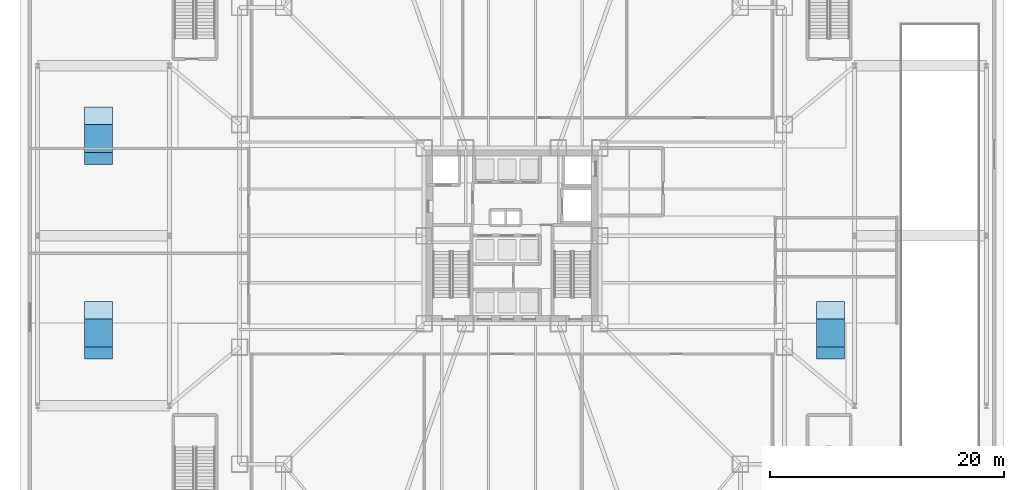
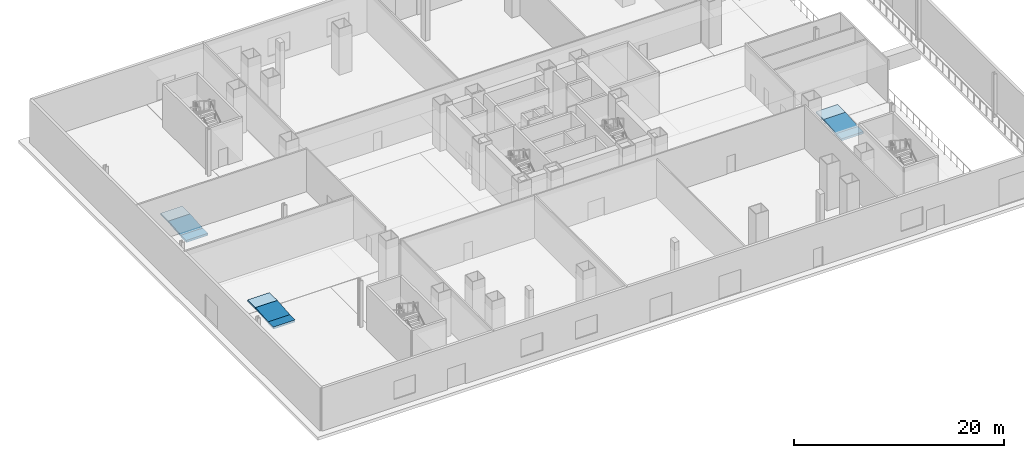
# One storey, part 12 of 24: 3 ramps, 3 ramp flights, 3 slabs.
"""IFC4 building model written with IfcOpenShell, lengths in metres."""

import ifcopenshell
import ifcopenshell.guid

model = None  # the IFC model being written
_history = None  # IfcOwnerHistory: only IFC2X3 demands one
_inside = {}  # id of a spatial element -> (the spatial element, [elements in it])
_under = {}  # id of a project, library or spatial element -> (it, [spatial elements below it])
_declared = {}  # id of a project -> (the project, [libraries it declares])
_typed = {}  # id of a type object -> (the type object, [elements of that type])
_made_of = {}  # id of a material, layer set ... -> (it, [elements and type objects made of it])


def new_model(schema):
    """Start an empty IFC model of exactly this schema.

    Asked for "IFC4X3", IfcOpenShell would pick the latest addendum, in which some entities
    have other attributes; the version numbers below select the first issue.
    IFC2X3 requires an IfcOwnerHistory on every rooted entity: one is made here for all.
    """
    global model, _history
    if schema == "IFC4X3":
        model = ifcopenshell.file(schema_version=(4, 3, 0, 0))
    else:
        model = ifcopenshell.file(schema=schema)
    _inside.clear()
    _under.clear()
    _declared.clear()
    _typed.clear()
    _made_of.clear()
    _history = None
    if model.schema == "IFC2X3":
        org = make("IfcOrganization", Name="unknown")
        user = make(
            "IfcPersonAndOrganization",
            ThePerson=make("IfcPerson", FamilyName="unknown"),
            TheOrganization=org,
        )
        app = make(
            "IfcApplication",
            ApplicationDeveloper=org,
            Version="unknown",
            ApplicationFullName="unknown",
            ApplicationIdentifier="unknown",
        )
        _history = make(
            "IfcOwnerHistory",
            OwningUser=user,
            OwningApplication=app,
            ChangeAction="ADDED",
            CreationDate=0,
        )
    return model


def make(cls, **values):
    """One entity of the class cls with the attributes given. An attribute that is None is left unset."""
    return model.create_entity(
        cls, **{name: value for name, value in values.items() if value is not None}
    )


def rooted(cls, **values):
    """An entity with a GlobalId (a new one), such as an element, a storey or a relation."""
    return make(cls, GlobalId=ifcopenshell.guid.new(), OwnerHistory=_history, **values)


def si_unit(unit_type, name, prefix=None):
    """IfcSIUnit, for example si_unit("LENGTHUNIT", "METRE", prefix="MILLI")."""
    return make("IfcSIUnit", UnitType=unit_type, Prefix=prefix, Name=name)


def assignment(units):
    """IfcUnitAssignment: the units of a project."""
    return None if units is None else make("IfcUnitAssignment", Units=units)


def point(xyz):
    """IfcCartesianPoint."""
    return None if xyz is None else make("IfcCartesianPoint", Coordinates=xyz)


def direction(xyz):
    """IfcDirection."""
    return None if xyz is None else make("IfcDirection", DirectionRatios=xyz)


def frame(location, z_axis=None, x_axis=None):
    """IfcAxis2Placement3D, a coordinate frame: its origin and axes. An axis left out is left unset."""
    return make(
        "IfcAxis2Placement3D",
        Location=point(location),
        Axis=direction(z_axis),
        RefDirection=direction(x_axis),
    )


def frame_2d(location, x_axis=None):
    """IfcAxis2Placement2D, a coordinate frame in the plane: its origin and x axis."""
    return make(
        "IfcAxis2Placement2D", Location=point(location), RefDirection=direction(x_axis)
    )


def origin():
    """The frame at (0, 0, 0) with its axes left unset."""
    return frame((0.0, 0.0, 0.0))


def origin_2d():
    """The frame at (0, 0) in the plane with its x axis left unset."""
    return frame_2d((0.0, 0.0))


def place(relative_to, where):
    """IfcLocalPlacement: puts the frame where relative to a parent placement (None: the world)."""
    return make(
        "IfcLocalPlacement", PlacementRelTo=relative_to, RelativePlacement=where
    )


def context(
    kind, dimensions, precision=None, world=None, true_north=None, identifier=None
):
    """IfcGeometricRepresentationContext, for example the 3D "Model" context."""
    return make(
        "IfcGeometricRepresentationContext",
        ContextIdentifier=identifier,
        ContextType=kind,
        CoordinateSpaceDimension=dimensions,
        Precision=precision,
        WorldCoordinateSystem=world,
        TrueNorth=true_north,
    )


def subcontext(parent, identifier, kind, view, scale=None):
    """IfcGeometricRepresentationSubContext, for example "Body" below "Model"."""
    return make(
        "IfcGeometricRepresentationSubContext",
        ContextIdentifier=identifier,
        ContextType=kind,
        ParentContext=parent,
        TargetScale=scale,
        TargetView=view,
    )


def project(units=None, contexts=None):
    """IfcProject with its units and contexts."""
    return rooted(
        "IfcProject",
        Name="project",
        RepresentationContexts=contexts,
        UnitsInContext=assignment(units),
    )


def spatial(cls, under=None, at=None, **own):
    """A site, building, storey or space (cls), placed at a placement, below another one or the project."""
    s = rooted(cls, ObjectPlacement=at, **own)
    if under is not None:
        _under.setdefault(under.id(), (under, []))[1].append(s)
    return s


def polyline(points):
    """IfcPolyline through the points."""
    return make("IfcPolyline", Points=[point(p) for p in points])


def profile(cls, at=None, kind="AREA", **sizes):
    """A parametric profile (cls). Its sizes go by their IFC names, for example OverallWidth=200.0."""
    return make(cls, ProfileType=kind, Position=at, **sizes)


def rectangle(**sizes):
    """IfcRectangleProfileDef."""
    return profile("IfcRectangleProfileDef", **sizes)


def outline(outer, holes=None, kind="AREA"):
    """IfcArbitraryClosedProfileDef: a profile drawn as a closed curve; with holes, ...WithVoids."""
    if holes is None:
        return make("IfcArbitraryClosedProfileDef", ProfileType=kind, OuterCurve=outer)
    return make(
        "IfcArbitraryProfileDefWithVoids",
        ProfileType=kind,
        OuterCurve=outer,
        InnerCurves=holes,
    )


def extrude(swept, where, along, depth):
    """IfcExtrudedAreaSolid: the profile swept, set in the frame where, extruded along a direction by depth."""
    return make(
        "IfcExtrudedAreaSolid",
        SweptArea=swept,
        Position=where,
        ExtrudedDirection=direction(along),
        Depth=depth,
    )


def shape(context_of_items, identifier, shape_type, items):
    """IfcShapeRepresentation: the items that make up one representation, for example the "Body"."""
    return make(
        "IfcShapeRepresentation",
        ContextOfItems=context_of_items,
        RepresentationIdentifier=identifier,
        RepresentationType=shape_type,
        Items=items,
    )


def material(Name=None, Category=None):
    """IfcMaterial."""
    return make("IfcMaterial", Name=Name, Category=Category)


def layer(
    of_material, thickness, ventilated=None, Name=None, Category=None, Priority=None
):
    """IfcMaterialLayer: one layer of a wall or slab, of a material (None: an air gap)."""
    return make(
        "IfcMaterialLayer",
        Material=of_material,
        LayerThickness=thickness,
        IsVentilated=ventilated,
        Name=Name,
        Category=Category,
        Priority=Priority,
    )


def layer_set(layers, Name=None):
    """IfcMaterialLayerSet."""
    return make("IfcMaterialLayerSet", MaterialLayers=layers, LayerSetName=Name)


def made_of(thing, what):
    """Note that an element or type object is made of a material, layer set ...; save() writes the relation."""
    if what is not None:
        _made_of.setdefault(what.id(), (what, []))[1].append(thing)
    return thing


def type_object(cls, material=None, **own):
    """A type object (cls), such as IfcWallType, which elements share."""
    return made_of(rooted(cls, **own), material)


def element(
    cls,
    number,
    at=None,
    inside=None,
    cuts=None,
    type_object=None,
    material=None,
    context=None,
    identifier="Body",
    shape_type=None,
    held_by="IfcProductDefinitionShape",
    body=None,
    shapes=None,
    **own,
):
    """One element of the class cls, such as IfcWall. Its Tag is "e" and its number.

    at: its placement. inside: the storey or other place that contains it. cuts: it is an
    opening in that element (IfcRelVoidsElement). A single representation is given by context,
    identifier, shape_type and body (its items); several are given by shapes. held_by: the class
    of the entity that holds the representations. save() writes the other relations.
    """
    e = rooted(cls, Tag="e%d" % number, ObjectPlacement=at, **own)
    if body is not None:
        shapes = [shape(context, identifier, shape_type, body)]
    if shapes is not None:
        e.Representation = make(held_by, Representations=shapes)
    if inside is not None:
        _inside.setdefault(inside.id(), (inside, []))[1].append(e)
    if cuts is not None:
        rooted(
            "IfcRelVoidsElement", RelatingBuildingElement=cuts, RelatedOpeningElement=e
        )
    if type_object is not None:
        _typed.setdefault(type_object.id(), (type_object, []))[1].append(e)
    return made_of(e, material)


def aggregate(whole, parts):
    """IfcRelAggregates: a whole, such as a stair, and the parts it consists of."""
    return rooted("IfcRelAggregates", RelatingObject=whole, RelatedObjects=parts)


def save(model, path):
    """Write the relations noted so far, then the file.

    IfcRelAggregates (storeys below a building ...), IfcRelContainedInSpatialStructure (elements
    in a storey), IfcRelDefinesByType, IfcRelAssociatesMaterial and IfcRelDeclares: one each for
    every whole, place, type object, material and project.
    """
    for whole, parts in _under.values():
        aggregate(whole, parts)
    for where, things in _inside.values():
        rooted(
            "IfcRelContainedInSpatialStructure",
            RelatedElements=things,
            RelatingStructure=where,
        )
    for kind, things in _typed.values():
        rooted("IfcRelDefinesByType", RelatedObjects=things, RelatingType=kind)
    for what, things in _made_of.values():
        rooted("IfcRelAssociatesMaterial", RelatedObjects=things, RelatingMaterial=what)
    for by, libraries in _declared.values():
        rooted("IfcRelDeclares", RelatingContext=by, RelatedDefinitions=libraries)
    model.write(path)


model = new_model("IFC4")

# Units and contexts
model_context = context("Model", 3, precision=1e-05, world=origin(), true_north=direction((0.0, 1.0)))
body_context = subcontext(model_context, "Body", "Model", "MODEL_VIEW")
ifc_project = project(units=[si_unit("LENGTHUNIT", "METRE"), si_unit("AREAUNIT", "SQUARE_METRE"), si_unit("VOLUMEUNIT", "CUBIC_METRE"), si_unit("PLANEANGLEUNIT", "RADIAN"), si_unit("MASSUNIT", "GRAM", prefix="KILO")], contexts=[model_context])

# Slab
ifc_material = material(Name="Concrete C40/50", Category="concrete")
ifc_layer_1 = layer(ifc_material, 0.300048828125, Name="Concrete C40/50")
ifc_layer_set_1 = layer_set([ifc_layer_1], Name="Concrete C40/50")
slab_type = type_object("IfcSlabType", Name="SLB-RAMP-LAND", PredefinedType="LANDING", material=ifc_layer_set_1)
site_placement = place(None, origin())
building_placement = place(site_placement, origin())
storey_placement = place(building_placement, origin())
slab_1_placement = place(storey_placement, origin())
slab_1 = element("IfcSlab", 1, at=slab_1_placement, type_object=slab_type, Name="Accessible concourse ramp RMP-L00-PED-1 upper landing pad", PredefinedType="LANDING", context=body_context, shape_type="SweptSolid", body=[
    extrude(outline(polyline([(-36.5, -7.10009765625), (-34.10009765625, -7.10009765625), (-34.10009765625, -5.60009765625), (-36.5, -5.60009765625), (-36.5, -7.10009765625)])), origin(), (0.0, 0.0, 1.0), 0.199951171875),
])

slab_2_placement = place(storey_placement, origin())
slab_2 = element("IfcSlab", 2, at=slab_2_placement, type_object=slab_type, Name="Accessible concourse ramp RMP-L00-PED-2 upper landing pad", PredefinedType="LANDING", context=body_context, shape_type="SweptSolid", body=[
    extrude(outline(polyline([(-36.5, 9.5), (-34.10009765625, 9.5), (-34.10009765625, 11.0), (-36.5, 11.0), (-36.5, 9.5)])), origin(), (0.0, 0.0, 1.0), 0.199951171875),
])

slab_3_placement = place(storey_placement, origin())
slab_3 = element("IfcSlab", 3, at=slab_3_placement, type_object=slab_type, Name="Accessible concourse ramp RMP-L00-PED-3 upper landing pad", PredefinedType="LANDING", context=body_context, shape_type="SweptSolid", body=[
    extrude(outline(polyline([(26.0, -7.10009765625), (28.39990234375, -7.10009765625), (28.39990234375, -5.60009765625), (26.0, -5.60009765625), (26.0, -7.10009765625)])), origin(), (0.0, 0.0, 1.0), 0.199951171875),
])

# Ramp flight
ifc_layer_2 = layer(ifc_material, 0.25, Name="Concrete C40/50")
ifc_layer_set_2 = layer_set([ifc_layer_2], Name="Concrete C40/50")
ramp_flight_type = type_object("IfcRampFlightType", Name="RFL-PED-250", PredefinedType="STRAIGHT", material=ifc_layer_set_2)
ramp_flight_1_placement = place(storey_placement, frame((-36.5, -9.5, 0.0), z_axis=(0.0, -0.083028700011, 0.996547156423), x_axis=(1.0, 0.0, 0.0)))
ramp_flight_1 = element("IfcRampFlight", 4, at=ramp_flight_1_placement, type_object=ramp_flight_type, Name="Accessible concourse ramp flight RMP-L00-PED-1 (1:12)", PredefinedType="STRAIGHT", context=body_context, shape_type="SweptSolid", body=[
    extrude(outline(polyline([(0.0, 0.0), (2.39990234375, 0.0), (2.39990234375, 2.408217542223071), (0.0, 2.408217542223071), (0.0, 0.0)])), origin(), (0.0, 0.0, -1.0), 0.199951171875),
])

ramp_flight_2_placement = place(storey_placement, frame((-36.5, 7.10009765625, 0.0), z_axis=(0.0, -0.083028700011, 0.996547156423), x_axis=(1.0, 0.0, 0.0)))
ramp_flight_2 = element("IfcRampFlight", 5, at=ramp_flight_2_placement, type_object=ramp_flight_type, Name="Accessible concourse ramp flight RMP-L00-PED-2 (1:12)", PredefinedType="STRAIGHT", context=body_context, shape_type="SweptSolid", body=[
    extrude(outline(polyline([(0.0, 0.0), (2.39990234375, 0.0), (2.39990234375, 2.408217542223071), (0.0, 2.408217542223071), (0.0, 0.0)])), origin(), (0.0, 0.0, -1.0), 0.199951171875),
])

ramp_flight_3_placement = place(storey_placement, frame((26.0, -9.5, 0.0), z_axis=(0.0, -0.083028700011, 0.996547156423), x_axis=(1.0, 0.0, 0.0)))
ramp_flight_3 = element("IfcRampFlight", 6, at=ramp_flight_3_placement, type_object=ramp_flight_type, Name="Accessible concourse ramp flight RMP-L00-PED-3 (1:12)", PredefinedType="STRAIGHT", context=body_context, shape_type="SweptSolid", body=[
    extrude(outline(polyline([(0.0, 0.0), (2.39990234375, 0.0), (2.39990234375, 2.408217542223071), (0.0, 2.408217542223071), (0.0, 0.0)])), origin(), (0.0, 0.0, -1.0), 0.199951171875),
])

# Site, building, storey
site = spatial("IfcSite", under=ifc_project, at=site_placement, CompositionType="ELEMENT")
building = spatial("IfcBuilding", under=site, at=building_placement, Name="Trevonay Congress Spire", CompositionType="ELEMENT")
storey = spatial("IfcBuildingStorey", under=building, at=storey_placement, Name="L00", CompositionType="ELEMENT", Elevation=0.0)

# Ramp
ifc_layer_3 = layer(ifc_material, 0.25, Name="Concrete C40/50")
ifc_layer_set_3 = layer_set([ifc_layer_3], Name="Concrete C40/50")
ramp_type = type_object("IfcRampType", Name="RMP-PED-ACCESS", PredefinedType="STRAIGHT_RUN_RAMP", material=ifc_layer_set_3)
ramp_1_placement = place(storey_placement, frame((-35.300048828125, -10.0, -0.25), z_axis=(0.0, 0.0, 1.0), x_axis=(1.0, 0.0, 0.0)))
ramp_1 = element("IfcRamp", 7, at=ramp_1_placement, inside=storey, type_object=ramp_type, Name="Accessible concourse threshold ramp RMP-L00-PED-1 (1:12)", PredefinedType="STRAIGHT_RUN_RAMP", context=body_context, shape_type="SweptSolid", body=[
    extrude(rectangle(XDim=2.39990234375, YDim=1.0, at=origin_2d()), origin(), (0.0, 0.0, 1.0), 0.25),
])

aggregate(ramp_1, [slab_1, ramp_flight_1])

ramp_2_placement = place(storey_placement, frame((-35.300048828125, 6.60009765625, -0.25), z_axis=(0.0, 0.0, 1.0), x_axis=(1.0, 0.0, 0.0)))
ramp_2 = element("IfcRamp", 8, at=ramp_2_placement, inside=storey, type_object=ramp_type, Name="Accessible concourse threshold ramp RMP-L00-PED-2 (1:12)", PredefinedType="STRAIGHT_RUN_RAMP", context=body_context, shape_type="SweptSolid", body=[
    extrude(rectangle(XDim=2.39990234375, YDim=1.0, at=origin_2d()), origin(), (0.0, 0.0, 1.0), 0.25),
])

aggregate(ramp_2, [slab_2, ramp_flight_2])

ramp_3_placement = place(storey_placement, frame((27.199951171875, -10.0, -0.25), z_axis=(0.0, 0.0, 1.0), x_axis=(1.0, 0.0, 0.0)))
ramp_3 = element("IfcRamp", 9, at=ramp_3_placement, inside=storey, type_object=ramp_type, Name="Accessible concourse threshold ramp RMP-L00-PED-3 (1:12)", PredefinedType="STRAIGHT_RUN_RAMP", context=body_context, shape_type="SweptSolid", body=[
    extrude(rectangle(XDim=2.39990234375, YDim=1.0, at=origin_2d()), origin(), (0.0, 0.0, 1.0), 0.25),
])

aggregate(ramp_3, [slab_3, ramp_flight_3])

save(model, "model.ifc")
